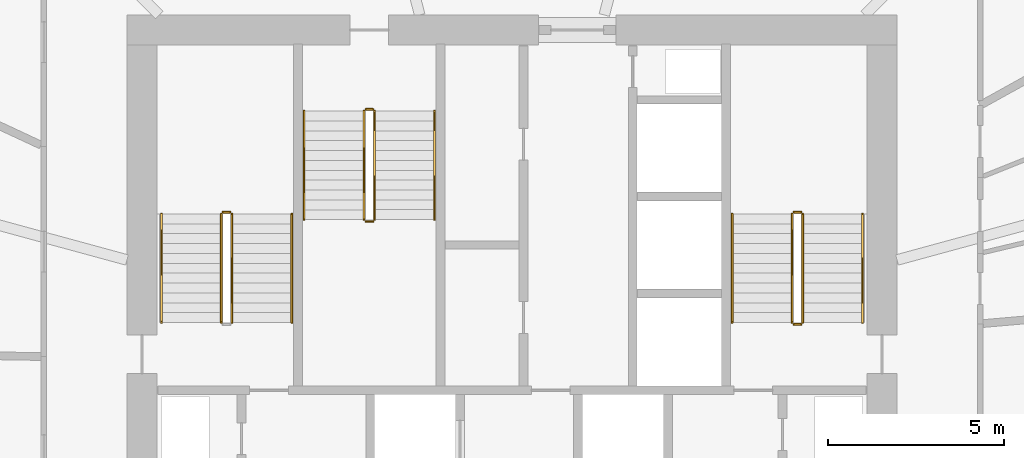
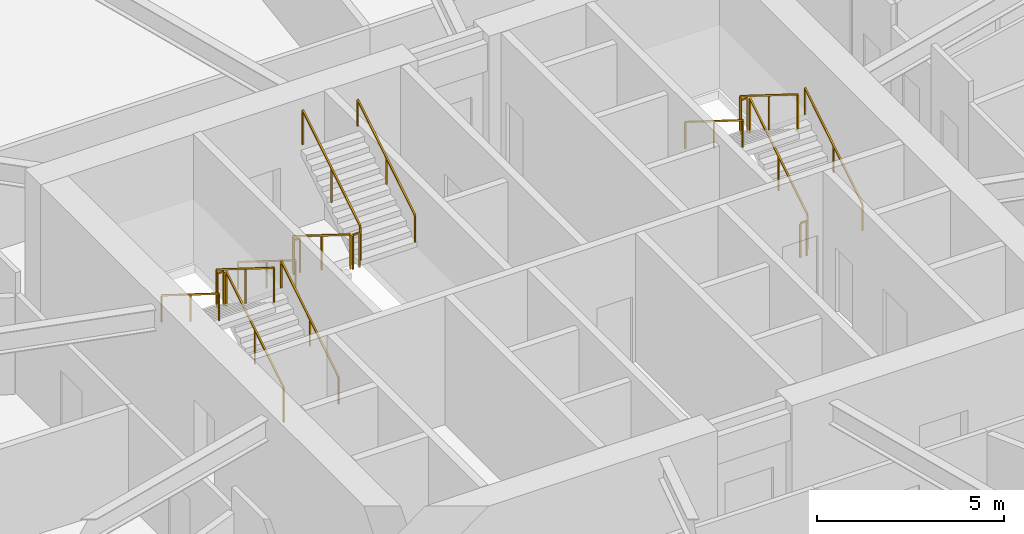
# One storey, part 26 of 27: 17 railings.
"""IFC4 building model written with IfcOpenShell, lengths in metres."""

from ifc_helpers import new_model, si_unit, direction, frame, origin, origin_2d, place, context, subcontext, project, spatial, rectangle, extrude, material, type_object, element, save


model = new_model("IFC4")

# Units and contexts
model_context = context("Model", 3, precision=1e-05, world=origin(), true_north=direction((0.0, 1.0)))
body_context = subcontext(model_context, "Body", "Model", "MODEL_VIEW")
ifc_project = project(units=[si_unit("LENGTHUNIT", "METRE"), si_unit("AREAUNIT", "SQUARE_METRE"), si_unit("VOLUMEUNIT", "CUBIC_METRE"), si_unit("PLANEANGLEUNIT", "RADIAN"), si_unit("MASSUNIT", "GRAM", prefix="KILO")], contexts=[model_context])

# Site, building, storey
site_placement = place(None, origin())
site = spatial("IfcSite", under=ifc_project, at=site_placement, CompositionType="ELEMENT")
building_placement = place(site_placement, origin())
building = spatial("IfcBuilding", under=site, at=building_placement, Name="Zuhravey Tower", CompositionType="ELEMENT")
storey_placement = place(building_placement, frame((0.0, 0.0, 12.0)))
storey = spatial("IfcBuildingStorey", under=building, at=storey_placement, Name="L03", CompositionType="ELEMENT", Elevation=12.0)

# Railings
ifc_material_1 = material(Name="Brushed stainless steel", Category="steel")
railing_type_1 = type_object("IfcRailingType", Name="Stair Wall Handrail 900", PredefinedType="HANDRAIL", material=ifc_material_1)
railing_1_placement = place(storey_placement, frame((29.75, 33.199951171875, 0.175048828125)))
element("IfcRailing", 1, at=railing_1_placement, inside=storey, type_object=railing_type_1, Name="L03 ST1 stair handrail 1", PredefinedType="HANDRAIL", context=body_context, shape_type="SweptSolid", body=[
    extrude(rectangle(XDim=0.048095703125, YDim=0.048095703125, at=origin_2d()), frame((0.0, 0.001708984375, 0.876953125), z_axis=(0.0, 0.847998304005, 0.529998940003), x_axis=(-1.0, 0.0, 0.0)), (0.0, 0.0, 1.0), 3.628173828125),
    extrude(rectangle(XDim=0.0419921875, YDim=0.0419921875, at=origin_2d()), origin(), (0.0, 0.0, 1.0), 0.849853515625),
    extrude(rectangle(XDim=0.0419921875, YDim=0.0419921875, at=origin_2d()), frame((0.0, 1.5400390625, 0.96240234375)), (0.0, 0.0, 1.0), 0.849853515625),
    extrude(rectangle(XDim=0.0419921875, YDim=0.0419921875, at=origin_2d()), frame((0.0, 3.080078125, 1.925048828125)), (0.0, 0.0, 1.0), 0.849853515625),
])
railing_2_placement = place(storey_placement, frame((26.050048828125, 36.280029296875, 2.27490234375)))
element("IfcRailing", 2, at=railing_2_placement, inside=storey, type_object=railing_type_1, Name="L03 ST1 stair handrail 2", PredefinedType="HANDRAIL", context=body_context, shape_type="SweptSolid", body=[
    extrude(rectangle(XDim=0.048095703125, YDim=0.048095703125, at=origin_2d()), frame((0.0, -0.001708984375, 0.876953125), z_axis=(0.0, -0.847998304005, 0.529998940003), x_axis=(1.0, 0.0, 0.0)), (0.0, 0.0, 1.0), 3.628173828125),
    extrude(rectangle(XDim=0.0419921875, YDim=0.0419921875, at=origin_2d()), origin(), (0.0, 0.0, 1.0), 0.849853515625),
    extrude(rectangle(XDim=0.0419921875, YDim=0.0419921875, at=origin_2d()), frame((0.0, -1.5400390625, 0.96240234375)), (0.0, 0.0, 1.0), 0.849853515625),
    extrude(rectangle(XDim=0.0419921875, YDim=0.0419921875, at=origin_2d()), frame((0.0, -3.080078125, 1.925048828125)), (0.0, 0.0, 1.0), 0.849853515625),
])
railing_3_placement = place(storey_placement, frame((45.949951171875, 33.199951171875, 0.175048828125)))
element("IfcRailing", 3, at=railing_3_placement, inside=storey, type_object=railing_type_1, Name="L03 ST2 stair handrail 1", PredefinedType="HANDRAIL", context=body_context, shape_type="SweptSolid", body=[
    extrude(rectangle(XDim=0.048095703125, YDim=0.048095703125, at=origin_2d()), frame((0.0, 0.001708984375, 0.876953125), z_axis=(0.0, 0.847998304005, 0.529998940003), x_axis=(-1.0, 0.0, 0.0)), (0.0, 0.0, 1.0), 3.628173828125),
    extrude(rectangle(XDim=0.0419921875, YDim=0.0419921875, at=origin_2d()), origin(), (0.0, 0.0, 1.0), 0.849853515625),
    extrude(rectangle(XDim=0.0419921875, YDim=0.0419921875, at=origin_2d()), frame((0.0, 1.5400390625, 0.96240234375)), (0.0, 0.0, 1.0), 0.849853515625),
    extrude(rectangle(XDim=0.0419921875, YDim=0.0419921875, at=origin_2d()), frame((0.0, 3.080078125, 1.925048828125)), (0.0, 0.0, 1.0), 0.849853515625),
])
railing_4_placement = place(storey_placement, frame((42.25, 36.280029296875, 2.27490234375)))
element("IfcRailing", 4, at=railing_4_placement, inside=storey, type_object=railing_type_1, Name="L03 ST2 stair handrail 2", PredefinedType="HANDRAIL", context=body_context, shape_type="SweptSolid", body=[
    extrude(rectangle(XDim=0.048095703125, YDim=0.048095703125, at=origin_2d()), frame((0.0, -0.001708984375, 0.876953125), z_axis=(0.0, -0.847998304005, 0.529998940003), x_axis=(1.0, 0.0, 0.0)), (0.0, 0.0, 1.0), 3.628173828125),
    extrude(rectangle(XDim=0.0419921875, YDim=0.0419921875, at=origin_2d()), origin(), (0.0, 0.0, 1.0), 0.849853515625),
    extrude(rectangle(XDim=0.0419921875, YDim=0.0419921875, at=origin_2d()), frame((0.0, -1.5400390625, 0.96240234375)), (0.0, 0.0, 1.0), 0.849853515625),
    extrude(rectangle(XDim=0.0419921875, YDim=0.0419921875, at=origin_2d()), frame((0.0, -3.080078125, 1.925048828125)), (0.0, 0.0, 1.0), 0.849853515625),
])
railing_5_placement = place(storey_placement, frame((30.10009765625, 39.199951171875, 0.175048828125)))
element("IfcRailing", 5, at=railing_5_placement, inside=storey, type_object=railing_type_1, Name="L03 ST3 stair handrail 1", PredefinedType="HANDRAIL", context=body_context, shape_type="SweptSolid", body=[
    extrude(rectangle(XDim=0.048095703125, YDim=0.048095703125, at=origin_2d()), frame((0.0, -0.001708984375, 0.876953125), z_axis=(0.0, -0.847979421464, 0.530029150871), x_axis=(1.0, 0.0, 0.0)), (0.0, 0.0, 1.0), 3.6279296875),
    extrude(rectangle(XDim=0.0419921875, YDim=0.0419921875, at=origin_2d()), origin(), (0.0, 0.0, 1.0), 0.849853515625),
    extrude(rectangle(XDim=0.0419921875, YDim=0.0419921875, at=origin_2d()), frame((0.0, -1.5400390625, 0.96240234375)), (0.0, 0.0, 1.0), 0.849853515625),
    extrude(rectangle(XDim=0.0419921875, YDim=0.0419921875, at=origin_2d()), frame((0.0, -3.079833984375, 1.925048828125)), (0.0, 0.0, 1.0), 0.849853515625),
])
railing_6_placement = place(storey_placement, frame((33.800048828125, 36.1201171875, 2.27490234375)))
element("IfcRailing", 6, at=railing_6_placement, inside=storey, type_object=railing_type_1, Name="L03 ST3 stair handrail 2", PredefinedType="HANDRAIL", context=body_context, shape_type="SweptSolid", body=[
    extrude(rectangle(XDim=0.048095703125, YDim=0.048095703125, at=origin_2d()), frame((0.0, 0.001708984375, 0.876953125), z_axis=(0.0, 0.847979421464, 0.530029150871), x_axis=(-1.0, 0.0, 0.0)), (0.0, 0.0, 1.0), 3.6279296875),
    extrude(rectangle(XDim=0.0419921875, YDim=0.0419921875, at=origin_2d()), origin(), (0.0, 0.0, 1.0), 0.849853515625),
    extrude(rectangle(XDim=0.0419921875, YDim=0.0419921875, at=origin_2d()), frame((0.0, 1.5400390625, 0.96240234375)), (0.0, 0.0, 1.0), 0.849853515625),
    extrude(rectangle(XDim=0.0419921875, YDim=0.0419921875, at=origin_2d()), frame((0.0, 3.079833984375, 1.925048828125)), (0.0, 0.0, 1.0), 0.849853515625),
])
ifc_material_2 = material(Name="Painted tubular steel", Category="steel")
railing_type_2 = type_object("IfcRailingType", Name="Stair Well Guardrail 1150", PredefinedType="GUARDRAIL", material=ifc_material_2)
railing_7_placement = place(storey_placement, frame((28.050048828125, 33.199951171875, 0.175048828125)))
element("IfcRailing", 7, at=railing_7_placement, inside=storey, type_object=railing_type_2, Name="L03 ST1 stair guard 1", PredefinedType="GUARDRAIL", context=body_context, shape_type="SweptSolid", body=[
    extrude(rectangle(XDim=0.048095703125, YDim=0.048095703125, at=origin_2d()), frame((0.0, 0.001708984375, 1.126953125), z_axis=(0.0, 0.847998304005, 0.529998940003), x_axis=(-1.0, 0.0, 0.0)), (0.0, 0.0, 1.0), 3.628173828125),
    extrude(rectangle(XDim=0.0419921875, YDim=0.0419921875, at=origin_2d()), origin(), (0.0, 0.0, 1.0), 1.099853515625),
    extrude(rectangle(XDim=0.0419921875, YDim=0.0419921875, at=origin_2d()), frame((0.0, 1.5400390625, 0.96240234375)), (0.0, 0.0, 1.0), 1.099853515625),
    extrude(rectangle(XDim=0.0419921875, YDim=0.0419921875, at=origin_2d()), frame((0.0, 3.080078125, 1.925048828125)), (0.0, 0.0, 1.0), 1.099853515625),
])
railing_8_placement = place(storey_placement, frame((28.0, 36.330078125, 2.10009765625)))
element("IfcRailing", 8, at=railing_8_placement, inside=storey, type_object=railing_type_2, Name="L03 ST1 stair guard 2", PredefinedType="GUARDRAIL", context=body_context, shape_type="SweptSolid", body=[
    extrude(rectangle(XDim=0.048095703125, YDim=0.048095703125, at=origin_2d()), frame((-0.001953125, 0.0, 1.1259765625), z_axis=(-1.0, 0.0, 0.0), x_axis=(0.0, -1.0, 0.0)), (0.0, 0.0, 1.0), 0.196044921875),
    extrude(rectangle(XDim=0.0419921875, YDim=0.0419921875, at=origin_2d()), origin(), (0.0, 0.0, 1.0), 1.099853515625),
    extrude(rectangle(XDim=0.0419921875, YDim=0.0419921875, at=origin_2d()), frame((-0.199951171875, 0.0, 0.0)), (0.0, 0.0, 1.0), 1.099853515625),
])
railing_9_placement = place(storey_placement, frame((27.75, 36.280029296875, 2.27490234375)))
element("IfcRailing", 9, at=railing_9_placement, inside=storey, type_object=railing_type_2, Name="L03 ST1 stair guard 3", PredefinedType="GUARDRAIL", context=body_context, shape_type="SweptSolid", body=[
    extrude(rectangle(XDim=0.048095703125, YDim=0.048095703125, at=origin_2d()), frame((0.0, -0.001708984375, 1.126953125), z_axis=(0.0, -0.847998304005, 0.529998940003), x_axis=(1.0, 0.0, 0.0)), (0.0, 0.0, 1.0), 3.628173828125),
    extrude(rectangle(XDim=0.0419921875, YDim=0.0419921875, at=origin_2d()), origin(), (0.0, 0.0, 1.0), 1.099853515625),
    extrude(rectangle(XDim=0.0419921875, YDim=0.0419921875, at=origin_2d()), frame((0.0, -1.5400390625, 0.96240234375)), (0.0, 0.0, 1.0), 1.099853515625),
    extrude(rectangle(XDim=0.0419921875, YDim=0.0419921875, at=origin_2d()), frame((0.0, -3.080078125, 1.925048828125)), (0.0, 0.0, 1.0), 1.099853515625),
])
railing_10_placement = place(storey_placement, frame((44.25, 33.199951171875, 0.175048828125)))
element("IfcRailing", 10, at=railing_10_placement, inside=storey, type_object=railing_type_2, Name="L03 ST2 stair guard 1", PredefinedType="GUARDRAIL", context=body_context, shape_type="SweptSolid", body=[
    extrude(rectangle(XDim=0.048095703125, YDim=0.048095703125, at=origin_2d()), frame((0.0, 0.001708984375, 1.126953125), z_axis=(0.0, 0.847998304005, 0.529998940003), x_axis=(-1.0, 0.0, 0.0)), (0.0, 0.0, 1.0), 3.628173828125),
    extrude(rectangle(XDim=0.0419921875, YDim=0.0419921875, at=origin_2d()), origin(), (0.0, 0.0, 1.0), 1.099853515625),
    extrude(rectangle(XDim=0.0419921875, YDim=0.0419921875, at=origin_2d()), frame((0.0, 1.5400390625, 0.96240234375)), (0.0, 0.0, 1.0), 1.099853515625),
    extrude(rectangle(XDim=0.0419921875, YDim=0.0419921875, at=origin_2d()), frame((0.0, 3.080078125, 1.925048828125)), (0.0, 0.0, 1.0), 1.099853515625),
])
railing_11_placement = place(storey_placement, frame((44.199951171875, 36.330078125, 2.10009765625)))
element("IfcRailing", 11, at=railing_11_placement, inside=storey, type_object=railing_type_2, Name="L03 ST2 stair guard 2", PredefinedType="GUARDRAIL", context=body_context, shape_type="SweptSolid", body=[
    extrude(rectangle(XDim=0.048095703125, YDim=0.048095703125, at=origin_2d()), frame((-0.001953125, 0.0, 1.1259765625), z_axis=(-1.0, 0.0, 0.0), x_axis=(0.0, -1.0, 0.0)), (0.0, 0.0, 1.0), 0.196044921875),
    extrude(rectangle(XDim=0.0419921875, YDim=0.0419921875, at=origin_2d()), origin(), (0.0, 0.0, 1.0), 1.099853515625),
    extrude(rectangle(XDim=0.0419921875, YDim=0.0419921875, at=origin_2d()), frame((-0.199951171875, 0.0, 0.0)), (0.0, 0.0, 1.0), 1.099853515625),
])
railing_12_placement = place(storey_placement, frame((43.949951171875, 36.280029296875, 2.27490234375)))
element("IfcRailing", 12, at=railing_12_placement, inside=storey, type_object=railing_type_2, Name="L03 ST2 stair guard 3", PredefinedType="GUARDRAIL", context=body_context, shape_type="SweptSolid", body=[
    extrude(rectangle(XDim=0.048095703125, YDim=0.048095703125, at=origin_2d()), frame((0.0, -0.001708984375, 1.126953125), z_axis=(0.0, -0.847998304005, 0.529998940003), x_axis=(1.0, 0.0, 0.0)), (0.0, 0.0, 1.0), 3.628173828125),
    extrude(rectangle(XDim=0.0419921875, YDim=0.0419921875, at=origin_2d()), origin(), (0.0, 0.0, 1.0), 1.099853515625),
    extrude(rectangle(XDim=0.0419921875, YDim=0.0419921875, at=origin_2d()), frame((0.0, -1.5400390625, 0.96240234375)), (0.0, 0.0, 1.0), 1.099853515625),
    extrude(rectangle(XDim=0.0419921875, YDim=0.0419921875, at=origin_2d()), frame((0.0, -3.080078125, 1.925048828125)), (0.0, 0.0, 1.0), 1.099853515625),
])
railing_13_placement = place(storey_placement, frame((44.199951171875, 33.14990234375, 0.0)))
element("IfcRailing", 13, at=railing_13_placement, inside=storey, type_object=railing_type_2, Name="L03 ST2 stair guard 4", PredefinedType="GUARDRAIL", context=body_context, shape_type="SweptSolid", body=[
    extrude(rectangle(XDim=0.048095703125, YDim=0.048095703125, at=origin_2d()), frame((-0.001953125, 0.0, 1.1259765625), z_axis=(-1.0, 0.0, 0.0), x_axis=(0.0, -1.0, 0.0)), (0.0, 0.0, 1.0), 0.196044921875),
    extrude(rectangle(XDim=0.0419921875, YDim=0.0419921875, at=origin_2d()), origin(), (0.0, 0.0, 1.0), 1.099853515625),
    extrude(rectangle(XDim=0.0419921875, YDim=0.0419921875, at=origin_2d()), frame((-0.199951171875, 0.0, 0.0)), (0.0, 0.0, 1.0), 1.099853515625),
])
railing_14_placement = place(storey_placement, frame((31.800048828125, 39.199951171875, 0.175048828125)))
element("IfcRailing", 14, at=railing_14_placement, inside=storey, type_object=railing_type_2, Name="L03 ST3 stair guard 1", PredefinedType="GUARDRAIL", context=body_context, shape_type="SweptSolid", body=[
    extrude(rectangle(XDim=0.048095703125, YDim=0.048095703125, at=origin_2d()), frame((0.0, -0.001708984375, 1.126953125), z_axis=(0.0, -0.847979421464, 0.530029150871), x_axis=(1.0, 0.0, 0.0)), (0.0, 0.0, 1.0), 3.6279296875),
    extrude(rectangle(XDim=0.0419921875, YDim=0.0419921875, at=origin_2d()), origin(), (0.0, 0.0, 1.0), 1.099853515625),
    extrude(rectangle(XDim=0.0419921875, YDim=0.0419921875, at=origin_2d()), frame((0.0, -1.5400390625, 0.96240234375)), (0.0, 0.0, 1.0), 1.099853515625),
    extrude(rectangle(XDim=0.0419921875, YDim=0.0419921875, at=origin_2d()), frame((0.0, -3.079833984375, 1.925048828125)), (0.0, 0.0, 1.0), 1.099853515625),
])
railing_15_placement = place(storey_placement, frame((31.85009765625, 36.070068359375, 2.10009765625)))
element("IfcRailing", 15, at=railing_15_placement, inside=storey, type_object=railing_type_2, Name="L03 ST3 stair guard 2", PredefinedType="GUARDRAIL", context=body_context, shape_type="SweptSolid", body=[
    extrude(rectangle(XDim=0.048095703125, YDim=0.048095703125, at=origin_2d()), frame((0.001953125, 0.0, 1.1259765625), z_axis=(1.0, 0.0, 0.0), x_axis=(0.0, 1.0, 0.0)), (0.0, 0.0, 1.0), 0.196044921875),
    extrude(rectangle(XDim=0.0419921875, YDim=0.0419921875, at=origin_2d()), origin(), (0.0, 0.0, 1.0), 1.099853515625),
    extrude(rectangle(XDim=0.0419921875, YDim=0.0419921875, at=origin_2d()), frame((0.199951171875, 0.0, 0.0)), (0.0, 0.0, 1.0), 1.099853515625),
])
railing_16_placement = place(storey_placement, frame((32.10009765625, 36.1201171875, 2.27490234375)))
element("IfcRailing", 16, at=railing_16_placement, inside=storey, type_object=railing_type_2, Name="L03 ST3 stair guard 3", PredefinedType="GUARDRAIL", context=body_context, shape_type="SweptSolid", body=[
    extrude(rectangle(XDim=0.048095703125, YDim=0.048095703125, at=origin_2d()), frame((0.0, 0.001708984375, 1.126953125), z_axis=(0.0, 0.847979421464, 0.530029150871), x_axis=(-1.0, 0.0, 0.0)), (0.0, 0.0, 1.0), 3.6279296875),
    extrude(rectangle(XDim=0.0419921875, YDim=0.0419921875, at=origin_2d()), origin(), (0.0, 0.0, 1.0), 1.099853515625),
    extrude(rectangle(XDim=0.0419921875, YDim=0.0419921875, at=origin_2d()), frame((0.0, 1.5400390625, 0.96240234375)), (0.0, 0.0, 1.0), 1.099853515625),
    extrude(rectangle(XDim=0.0419921875, YDim=0.0419921875, at=origin_2d()), frame((0.0, 3.079833984375, 1.925048828125)), (0.0, 0.0, 1.0), 1.099853515625),
])
railing_17_placement = place(storey_placement, frame((31.85009765625, 39.25, 0.0)))
element("IfcRailing", 17, at=railing_17_placement, inside=storey, type_object=railing_type_2, Name="L03 ST3 stair guard 4", PredefinedType="GUARDRAIL", context=body_context, shape_type="SweptSolid", body=[
    extrude(rectangle(XDim=0.048095703125, YDim=0.048095703125, at=origin_2d()), frame((0.001953125, 0.0, 1.1259765625), z_axis=(1.0, 0.0, 0.0), x_axis=(0.0, 1.0, 0.0)), (0.0, 0.0, 1.0), 0.196044921875),
    extrude(rectangle(XDim=0.0419921875, YDim=0.0419921875, at=origin_2d()), origin(), (0.0, 0.0, 1.0), 1.099853515625),
    extrude(rectangle(XDim=0.0419921875, YDim=0.0419921875, at=origin_2d()), frame((0.199951171875, 0.0, 0.0)), (0.0, 0.0, 1.0), 1.099853515625),
])

save(model, "model.ifc")
